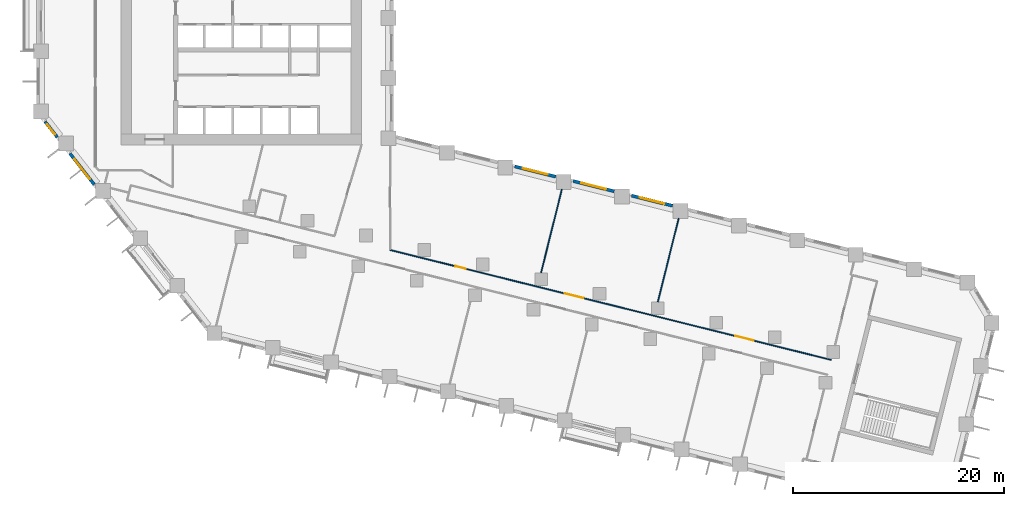
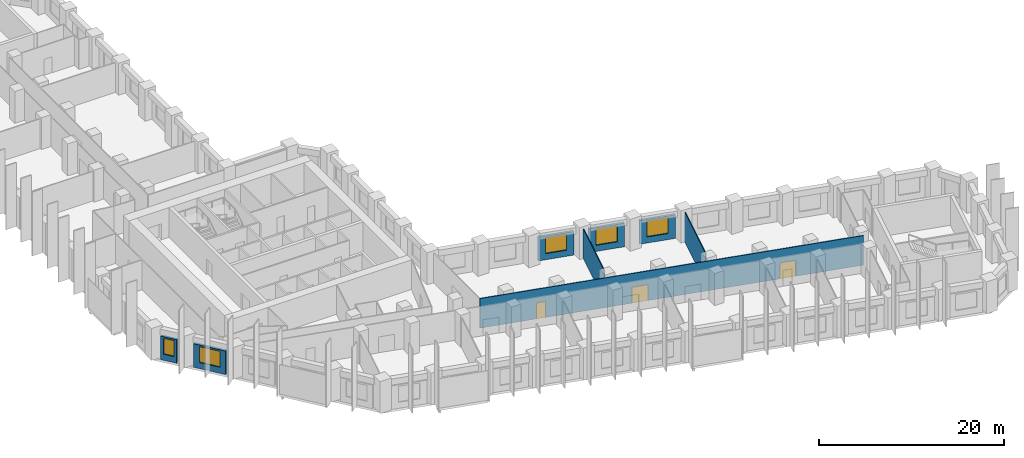
# One storey, part 4 of 12: 8 walls, 5 windows, 3 doors, 8 openings.
"""IFC4 building model written with IfcOpenShell, lengths in metres."""

from ifc_helpers import new_model, si_unit, direction, frame, frame_2d, origin, place, context, subcontext, project, spatial, rectangle, extrude, material, layer, layer_set, type_object, element, fill, save


model = new_model("IFC4")

# Units and contexts
model_context = context("Model", 3, precision=1e-05, world=origin(), true_north=direction((0.0, 1.0)))
body_context = subcontext(model_context, "Body", "Model", "MODEL_VIEW")
ifc_project = project(units=[si_unit("LENGTHUNIT", "METRE"), si_unit("AREAUNIT", "SQUARE_METRE"), si_unit("VOLUMEUNIT", "CUBIC_METRE"), si_unit("PLANEANGLEUNIT", "RADIAN"), si_unit("MASSUNIT", "GRAM", prefix="KILO")], contexts=[model_context])

# Site, building, storey
site_placement = place(None, origin())
site = spatial("IfcSite", under=ifc_project, at=site_placement, CompositionType="ELEMENT")
building_placement = place(site_placement, origin())
building = spatial("IfcBuilding", under=site, at=building_placement, Name="Meshkara Civic Tower", CompositionType="ELEMENT")
storey_placement = place(building_placement, frame((0.0, 0.0, 83.39990234375)))
storey = spatial("IfcBuildingStorey", under=building, at=storey_placement, Name="L18", CompositionType="ELEMENT", Elevation=83.39990234375)

# Wall, openings, doors
ifc_material_1 = material(Name="Corridor wall 100")
ifc_layer_1 = layer(ifc_material_1, 0.10009765625)
ifc_layer_set_1 = layer_set([ifc_layer_1], Name="Corridor wall 100")
wall_type_1 = type_object("IfcWallType", Name="Corridor wall 100", PredefinedType="PARTITIONING", material=ifc_layer_set_1)
wall_1_placement = place(storey_placement, frame((33.5, 4.14111328125, 0.0), z_axis=(0.0, 0.0, 1.0), x_axis=(0.970294366687, -0.241927348549, 0.0)))
wall_1 = element("IfcWall", 1, at=wall_1_placement, inside=storey, type_object=wall_type_1, Name="L18-W022", PredefinedType="PARTITIONING", context=body_context, shape_type="SweptSolid", body=[
    extrude(rectangle(XDim=43.0673828125, YDim=0.10009765625, at=frame_2d((21.53369140625, 0.0))), origin(), (0.0, 0.0, 1.0), 3.900146484375),
])
opening_1_placement = place(wall_1_placement, frame((17.075927734375, 0.0, 0.0)))
opening_1 = element("IfcOpeningElement", 2, at=opening_1_placement, cuts=wall_1, Name="Opening L18-D004", PredefinedType="OPENING", context=body_context, shape_type="SweptSolid", body=[
    extrude(rectangle(XDim=1.800048828125, YDim=2.10009765625, at=frame_2d((0.89990234375, 1.050048828125))), frame((0.0, 0.06005859375, 0.0), z_axis=(0.0, -1.0, 0.0), x_axis=(1.0, 0.0, 0.0)), (0.0, 0.0, 1.0), 0.1201171875),
])
opening_2_placement = place(wall_1_placement, frame((33.676025390625, 0.0, 0.0)))
opening_2 = element("IfcOpeningElement", 3, at=opening_2_placement, cuts=wall_1, Name="Opening L18-D007", PredefinedType="OPENING", context=body_context, shape_type="SweptSolid", body=[
    extrude(rectangle(XDim=1.800048828125, YDim=2.10009765625, at=frame_2d((0.89990234375, 1.050048828125))), frame((0.0, 0.06005859375, 0.0), z_axis=(0.0, -1.0, 0.0), x_axis=(1.0, 0.0, 0.0)), (0.0, 0.0, 1.0), 0.1201171875),
])
opening_3_placement = place(wall_1_placement, frame((6.3798828125, 0.0, 0.0)))
opening_3 = element("IfcOpeningElement", 4, at=opening_3_placement, cuts=wall_1, Name="Opening L18-D012", PredefinedType="OPENING", context=body_context, shape_type="SweptSolid", body=[
    extrude(rectangle(XDim=1.0, YDim=2.10009765625, at=frame_2d((0.5, 1.050048828125))), frame((0.0, 0.06005859375, 0.0), z_axis=(0.0, -1.0, 0.0), x_axis=(1.0, 0.0, 0.0)), (0.0, 0.0, 1.0), 0.1201171875),
])
ifc_material_2 = material(Name="Door 1000 x 2100")
door_type_1 = type_object("IfcDoorType", Name="Door 1000 x 2100", OperationType="SINGLE_SWING_LEFT", PredefinedType="DOOR", material=ifc_material_2)
door_1_placement = place(opening_3_placement, origin())
door_1 = element("IfcDoor", 5, at=door_1_placement, inside=storey, type_object=door_type_1, Name="L18-D012", OperationType="SINGLE_SWING_LEFT", OverallHeight=2.10009765625, OverallWidth=1.0, PredefinedType="DOOR", context=body_context, shape_type="SweptSolid", body=[
    extrude(rectangle(XDim=1.0, YDim=2.10009765625, at=frame_2d((0.5, 1.050048828125))), frame((0.0, 0.02490234375, 0.0), z_axis=(0.0, -1.0, 0.0), x_axis=(1.0, 0.0, 0.0)), (0.0, 0.0, 1.0), 0.050048828125),
])
fill(opening_3, door_1)
ifc_material_3 = material(Name="Door pair 1800 x 2100")
door_type_2 = type_object("IfcDoorType", Name="Door pair 1800 x 2100", OperationType="SINGLE_SWING_LEFT", PredefinedType="DOOR", material=ifc_material_3)
door_2_placement = place(opening_1_placement, origin())
door_2 = element("IfcDoor", 6, at=door_2_placement, inside=storey, type_object=door_type_2, Name="L18-D004", OperationType="DOUBLE_DOOR_SINGLE_SWING", OverallHeight=2.10009765625, OverallWidth=1.800048828125, PredefinedType="DOOR", context=body_context, shape_type="SweptSolid", body=[
    extrude(rectangle(XDim=1.800048828125, YDim=2.10009765625, at=frame_2d((0.89990234375, 1.050048828125))), frame((0.0, 0.02490234375, 0.0), z_axis=(0.0, -1.0, 0.0), x_axis=(1.0, 0.0, 0.0)), (0.0, 0.0, 1.0), 0.050048828125),
])
fill(opening_1, door_2)
door_3_placement = place(opening_2_placement, origin())
door_3 = element("IfcDoor", 7, at=door_3_placement, inside=storey, type_object=door_type_2, Name="L18-D007", OperationType="DOUBLE_DOOR_SINGLE_SWING", OverallHeight=2.10009765625, OverallWidth=1.800048828125, PredefinedType="DOOR", context=body_context, shape_type="SweptSolid", body=[
    extrude(rectangle(XDim=1.800048828125, YDim=2.10009765625, at=frame_2d((0.89990234375, 1.050048828125))), frame((0.0, 0.02490234375, 0.0), z_axis=(0.0, -1.0, 0.0), x_axis=(1.0, 0.0, 0.0)), (0.0, 0.0, 1.0), 0.050048828125),
])
fill(opening_2, door_3)

# Wall, opening, window
ifc_material_4 = material(Name="Insulated infill panel with bronze anodised aluminium cladding", Category="aluminium")
ifc_layer_2 = layer(ifc_material_4, 0.300048828125)
ifc_layer_set_2 = layer_set([ifc_layer_2], Name="EXTERNAL INFILL WALL 300")
wall_type_2 = type_object("IfcWallType", Name="EXTERNAL INFILL WALL 300", PredefinedType="SOLIDWALL", material=ifc_layer_set_2)
wall_2_placement = place(storey_placement, frame((60.251953125, 8.321044921875, 0.0), z_axis=(0.0, 0.0, 1.0), x_axis=(-0.970303772127, 0.241889623168, 0.0)))
wall_2 = element("IfcWall", 8, at=wall_2_placement, inside=storey, type_object=wall_type_2, Name="External wall", PredefinedType="SOLIDWALL", context=body_context, shape_type="SweptSolid", body=[
    extrude(rectangle(XDim=4.001953125, YDim=0.300048828125, at=frame_2d((2.0009765625, 0.0))), origin(), (0.0, 0.0, 1.0), 3.10009765625),
])
opening_4_placement = place(wall_2_placement, frame((0.801025390625, 0.0, 0.800048828125)))
opening_4 = element("IfcOpeningElement", 9, at=opening_4_placement, cuts=wall_2, Name="Opening W7", PredefinedType="OPENING", context=body_context, shape_type="SweptSolid", body=[
    extrude(rectangle(XDim=2.39990234375, YDim=2.10009765625, at=frame_2d((1.199951171875, 1.050048828125))), frame((0.0, 0.159912109375, 0.0), z_axis=(0.0, -1.0, 0.0), x_axis=(1.0, 0.0, 0.0)), (0.0, 0.0, 1.0), 0.320068359375),
])
ifc_material_5 = material(Name="Tinted double glazing", Category="glass")
window_type_1 = type_object("IfcWindowType", Name="WINDOW 2400x2100", PartitioningType="DOUBLE_PANEL_VERTICAL", PredefinedType="WINDOW", material=ifc_material_5)
window_1_placement = place(opening_4_placement, origin())
window_1 = element("IfcWindow", 10, at=window_1_placement, inside=storey, type_object=window_type_1, Name="Window", OverallHeight=2.10009765625, OverallWidth=2.39990234375, PartitioningType="DOUBLE_PANEL_VERTICAL", PredefinedType="WINDOW", context=body_context, shape_type="SweptSolid", body=[
    extrude(rectangle(XDim=2.39990234375, YDim=2.10009765625, at=frame_2d((1.199951171875, 1.050048828125))), frame((0.0, 0.030029296875, 0.0), z_axis=(0.0, -1.0, 0.0), x_axis=(1.0, 0.0, 0.0)), (0.0, 0.0, 1.0), 0.06005859375),
])
fill(opening_4, window_1)

wall_3_placement = place(storey_placement, frame((54.721923828125, 9.699951171875, 0.0), z_axis=(0.0, 0.0, 1.0), x_axis=(-0.970318045095, 0.24183236211, 0.0)))
wall_3 = element("IfcWall", 11, at=wall_3_placement, inside=storey, type_object=wall_type_2, Name="External wall", PredefinedType="SOLIDWALL", context=body_context, shape_type="SweptSolid", body=[
    extrude(rectangle(XDim=4.0029296875, YDim=0.300048828125, at=frame_2d((2.00146484375, 0.0))), origin(), (0.0, 0.0, 1.0), 3.10009765625),
])
opening_5_placement = place(wall_3_placement, frame((0.802001953125, 0.0, 0.800048828125)))
opening_5 = element("IfcOpeningElement", 12, at=opening_5_placement, cuts=wall_3, Name="Opening W7", PredefinedType="OPENING", context=body_context, shape_type="SweptSolid", body=[
    extrude(rectangle(XDim=2.39990234375, YDim=2.10009765625, at=frame_2d((1.199951171875, 1.050048828125))), frame((0.0, 0.159912109375, 0.0), z_axis=(0.0, -1.0, 0.0), x_axis=(1.0, 0.0, 0.0)), (0.0, 0.0, 1.0), 0.320068359375),
])
window_2_placement = place(opening_5_placement, origin())
window_2 = element("IfcWindow", 13, at=window_2_placement, inside=storey, type_object=window_type_1, Name="Window", OverallHeight=2.10009765625, OverallWidth=2.39990234375, PartitioningType="DOUBLE_PANEL_VERTICAL", PredefinedType="WINDOW", context=body_context, shape_type="SweptSolid", body=[
    extrude(rectangle(XDim=2.39990234375, YDim=2.10009765625, at=frame_2d((1.199951171875, 1.050048828125))), frame((0.0, 0.030029296875, 0.0), z_axis=(0.0, -1.0, 0.0), x_axis=(1.0, 0.0, 0.0)), (0.0, 0.0, 1.0), 0.06005859375),
])
fill(opening_5, window_2)

wall_4_placement = place(storey_placement, frame((49.19091796875, 11.0791015625, 0.0), z_axis=(0.0, 0.0, 1.0), x_axis=(-0.970318045095, 0.24183236211, 0.0)))
wall_4 = element("IfcWall", 14, at=wall_4_placement, inside=storey, type_object=wall_type_2, Name="External wall", PredefinedType="SOLIDWALL", context=body_context, shape_type="SweptSolid", body=[
    extrude(rectangle(XDim=4.0029296875, YDim=0.300048828125, at=frame_2d((2.00146484375, 0.0))), origin(), (0.0, 0.0, 1.0), 3.10009765625),
])
opening_6_placement = place(wall_4_placement, frame((0.802001953125, 0.0, 0.800048828125)))
opening_6 = element("IfcOpeningElement", 15, at=opening_6_placement, cuts=wall_4, Name="Opening W7", PredefinedType="OPENING", context=body_context, shape_type="SweptSolid", body=[
    extrude(rectangle(XDim=2.39990234375, YDim=2.10009765625, at=frame_2d((1.199951171875, 1.050048828125))), frame((0.0, 0.159912109375, 0.0), z_axis=(0.0, -1.0, 0.0), x_axis=(1.0, 0.0, 0.0)), (0.0, 0.0, 1.0), 0.320068359375),
])
window_3_placement = place(opening_6_placement, origin())
window_3 = element("IfcWindow", 16, at=window_3_placement, inside=storey, type_object=window_type_1, Name="Window", OverallHeight=2.10009765625, OverallWidth=2.39990234375, PartitioningType="DOUBLE_PANEL_VERTICAL", PredefinedType="WINDOW", context=body_context, shape_type="SweptSolid", body=[
    extrude(rectangle(XDim=2.39990234375, YDim=2.10009765625, at=frame_2d((1.199951171875, 1.050048828125))), frame((0.0, 0.030029296875, 0.0), z_axis=(0.0, -1.0, 0.0), x_axis=(1.0, 0.0, 0.0)), (0.0, 0.0, 1.0), 0.06005859375),
])
fill(opening_6, window_3)

wall_5_placement = place(storey_placement, frame((0.818115234375, 16.2958984375, 0.0), z_axis=(0.0, 0.0, 1.0), x_axis=(0.615985155343, -0.787757759973, 0.0)))
wall_5 = element("IfcWall", 17, at=wall_5_placement, inside=storey, type_object=wall_type_2, Name="External wall", PredefinedType="SOLIDWALL", context=body_context, shape_type="SweptSolid", body=[
    extrude(rectangle(XDim=1.874755859375, YDim=0.300048828125, at=frame_2d((0.9375, 0.0))), origin(), (0.0, 0.0, 1.0), 3.10009765625),
])
opening_7_placement = place(wall_5_placement, frame((0.3369140625, 0.0, 0.800048828125)))
opening_7 = element("IfcOpeningElement", 18, at=opening_7_placement, cuts=wall_5, Name="Opening W3", PredefinedType="OPENING", context=body_context, shape_type="SweptSolid", body=[
    extrude(rectangle(XDim=1.199951171875, YDim=2.10009765625, at=frame_2d((0.60009765625, 1.050048828125))), frame((0.0, 0.159912109375, 0.0), z_axis=(0.0, -1.0, 0.0), x_axis=(1.0, 0.0, 0.0)), (0.0, 0.0, 1.0), 0.320068359375),
])
ifc_material_6 = material(Name="Tinted double glazing", Category="glass")
window_type_2 = type_object("IfcWindowType", Name="WINDOW 1200x2100", PartitioningType="SINGLE_PANEL", PredefinedType="WINDOW", material=ifc_material_6)
window_4_placement = place(opening_7_placement, origin())
window_4 = element("IfcWindow", 19, at=window_4_placement, inside=storey, type_object=window_type_2, Name="Window", OverallHeight=2.10009765625, OverallWidth=1.199951171875, PartitioningType="SINGLE_PANEL", PredefinedType="WINDOW", context=body_context, shape_type="SweptSolid", body=[
    extrude(rectangle(XDim=1.199951171875, YDim=2.10009765625, at=frame_2d((0.60009765625, 1.050048828125))), frame((0.0, 0.030029296875, 0.0), z_axis=(0.0, -1.0, 0.0), x_axis=(1.0, 0.0, 0.0)), (0.0, 0.0, 1.0), 0.06005859375),
])
fill(opening_7, window_4)

wall_6_placement = place(storey_placement, frame((3.18310546875, 13.27001953125, 0.0), z_axis=(0.0, 0.0, 1.0), x_axis=(0.615564114897, -0.788086810225, 0.0)))
wall_6 = element("IfcWall", 20, at=wall_6_placement, inside=storey, type_object=wall_type_2, Name="External wall", PredefinedType="SOLIDWALL", context=body_context, shape_type="SweptSolid", body=[
    extrude(rectangle(XDim=3.734619140625, YDim=0.300048828125, at=frame_2d((1.8671875, 0.0))), origin(), (0.0, 0.0, 1.0), 3.10009765625),
])
opening_8_placement = place(wall_6_placement, frame((0.6669921875, 0.0, 0.800048828125)))
opening_8 = element("IfcOpeningElement", 21, at=opening_8_placement, cuts=wall_6, Name="Opening W7", PredefinedType="OPENING", context=body_context, shape_type="SweptSolid", body=[
    extrude(rectangle(XDim=2.39990234375, YDim=2.10009765625, at=frame_2d((1.199951171875, 1.050048828125))), frame((0.0, 0.159912109375, 0.0), z_axis=(0.0, -1.0, 0.0), x_axis=(1.0, 0.0, 0.0)), (0.0, 0.0, 1.0), 0.320068359375),
])
window_5_placement = place(opening_8_placement, origin())
window_5 = element("IfcWindow", 22, at=window_5_placement, inside=storey, type_object=window_type_1, Name="Window", OverallHeight=2.10009765625, OverallWidth=2.39990234375, PartitioningType="DOUBLE_PANEL_VERTICAL", PredefinedType="WINDOW", context=body_context, shape_type="SweptSolid", body=[
    extrude(rectangle(XDim=2.39990234375, YDim=2.10009765625, at=frame_2d((1.199951171875, 1.050048828125))), frame((0.0, 0.030029296875, 0.0), z_axis=(0.0, -1.0, 0.0), x_axis=(1.0, 0.0, 0.0)), (0.0, 0.0, 1.0), 0.06005859375),
])
fill(opening_8, window_5)

# Walls
ifc_material_7 = material(Name="Partition 100")
ifc_layer_3 = layer(ifc_material_7, 0.10009765625)
ifc_layer_set_3 = layer_set([ifc_layer_3], Name="Partition 100")
wall_type_3 = type_object("IfcWallType", Name="Partition 100", PredefinedType="PARTITIONING", material=ifc_layer_set_3)
wall_7_placement = place(storey_placement, frame((47.797119140625, 1.97607421875, 0.0), z_axis=(0.0, 0.0, 1.0), x_axis=(0.241894004121, 0.970302679977, 0.0)))
element("IfcWall", 23, at=wall_7_placement, inside=storey, type_object=wall_type_3, Name="L18-W049", PredefinedType="PARTITIONING", context=body_context, shape_type="SweptSolid", body=[
    extrude(rectangle(XDim=8.14794921875, YDim=0.10009765625, at=frame_2d((4.073974609375, 0.0))), origin(), (0.0, 0.0, 1.0), 3.900146484375),
])
wall_8_placement = place(storey_placement, frame((58.85888671875, -0.781982421875, 0.0), z_axis=(0.0, 0.0, 1.0), x_axis=(0.241809371064, 0.970323774864, 0.0)))
element("IfcWall", 24, at=wall_8_placement, inside=storey, type_object=wall_type_3, Name="L18-W051", PredefinedType="PARTITIONING", context=body_context, shape_type="SweptSolid", body=[
    extrude(rectangle(XDim=8.147705078125, YDim=0.10009765625, at=frame_2d((4.07373046875, 0.0))), origin(), (0.0, 0.0, 1.0), 3.900146484375),
])

save(model, "model.ifc")
